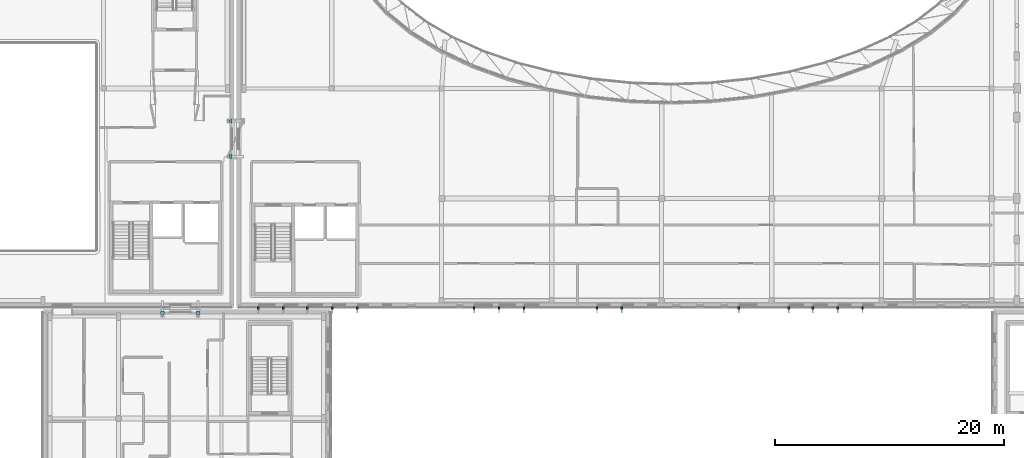
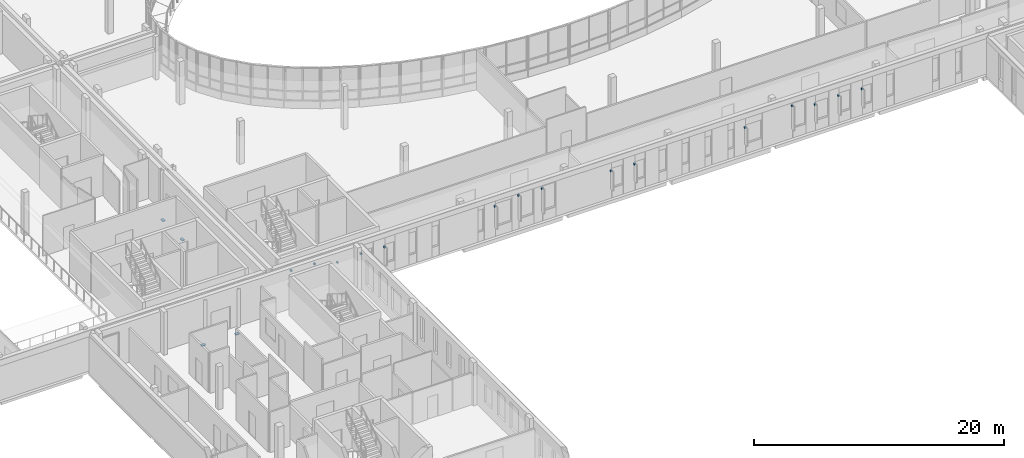
# One storey, part 57 of 84: 19 discrete accessories.
"""IFC4 building model written with IfcOpenShell, lengths in metres."""

import ifcopenshell
import ifcopenshell.guid

model = None  # the IFC model being written
_history = None  # IfcOwnerHistory: only IFC2X3 demands one
_inside = {}  # id of a spatial element -> (the spatial element, [elements in it])
_under = {}  # id of a project, library or spatial element -> (it, [spatial elements below it])
_declared = {}  # id of a project -> (the project, [libraries it declares])
_typed = {}  # id of a type object -> (the type object, [elements of that type])
_made_of = {}  # id of a material, layer set ... -> (it, [elements and type objects made of it])


def new_model(schema):
    """Start an empty IFC model of exactly this schema.

    Asked for "IFC4X3", IfcOpenShell would pick the latest addendum, in which some entities
    have other attributes; the version numbers below select the first issue.
    IFC2X3 requires an IfcOwnerHistory on every rooted entity: one is made here for all.
    """
    global model, _history
    if schema == "IFC4X3":
        model = ifcopenshell.file(schema_version=(4, 3, 0, 0))
    else:
        model = ifcopenshell.file(schema=schema)
    _inside.clear()
    _under.clear()
    _declared.clear()
    _typed.clear()
    _made_of.clear()
    _history = None
    if model.schema == "IFC2X3":
        org = make("IfcOrganization", Name="unknown")
        user = make(
            "IfcPersonAndOrganization",
            ThePerson=make("IfcPerson", FamilyName="unknown"),
            TheOrganization=org,
        )
        app = make(
            "IfcApplication",
            ApplicationDeveloper=org,
            Version="unknown",
            ApplicationFullName="unknown",
            ApplicationIdentifier="unknown",
        )
        _history = make(
            "IfcOwnerHistory",
            OwningUser=user,
            OwningApplication=app,
            ChangeAction="ADDED",
            CreationDate=0,
        )
    return model


def make(cls, **values):
    """One entity of the class cls with the attributes given. An attribute that is None is left unset."""
    return model.create_entity(
        cls, **{name: value for name, value in values.items() if value is not None}
    )


def rooted(cls, **values):
    """An entity with a GlobalId (a new one), such as an element, a storey or a relation."""
    return make(cls, GlobalId=ifcopenshell.guid.new(), OwnerHistory=_history, **values)


def si_unit(unit_type, name, prefix=None):
    """IfcSIUnit, for example si_unit("LENGTHUNIT", "METRE", prefix="MILLI")."""
    return make("IfcSIUnit", UnitType=unit_type, Prefix=prefix, Name=name)


def assignment(units):
    """IfcUnitAssignment: the units of a project."""
    return None if units is None else make("IfcUnitAssignment", Units=units)


def point(xyz):
    """IfcCartesianPoint."""
    return None if xyz is None else make("IfcCartesianPoint", Coordinates=xyz)


def direction(xyz):
    """IfcDirection."""
    return None if xyz is None else make("IfcDirection", DirectionRatios=xyz)


def frame(location, z_axis=None, x_axis=None):
    """IfcAxis2Placement3D, a coordinate frame: its origin and axes. An axis left out is left unset."""
    return make(
        "IfcAxis2Placement3D",
        Location=point(location),
        Axis=direction(z_axis),
        RefDirection=direction(x_axis),
    )


def frame_2d(location, x_axis=None):
    """IfcAxis2Placement2D, a coordinate frame in the plane: its origin and x axis."""
    return make(
        "IfcAxis2Placement2D", Location=point(location), RefDirection=direction(x_axis)
    )


def origin():
    """The frame at (0, 0, 0) with its axes left unset."""
    return frame((0.0, 0.0, 0.0))


def origin_2d():
    """The frame at (0, 0) in the plane with its x axis left unset."""
    return frame_2d((0.0, 0.0))


def place(relative_to, where):
    """IfcLocalPlacement: puts the frame where relative to a parent placement (None: the world)."""
    return make(
        "IfcLocalPlacement", PlacementRelTo=relative_to, RelativePlacement=where
    )


def context(
    kind, dimensions, precision=None, world=None, true_north=None, identifier=None
):
    """IfcGeometricRepresentationContext, for example the 3D "Model" context."""
    return make(
        "IfcGeometricRepresentationContext",
        ContextIdentifier=identifier,
        ContextType=kind,
        CoordinateSpaceDimension=dimensions,
        Precision=precision,
        WorldCoordinateSystem=world,
        TrueNorth=true_north,
    )


def subcontext(parent, identifier, kind, view, scale=None):
    """IfcGeometricRepresentationSubContext, for example "Body" below "Model"."""
    return make(
        "IfcGeometricRepresentationSubContext",
        ContextIdentifier=identifier,
        ContextType=kind,
        ParentContext=parent,
        TargetScale=scale,
        TargetView=view,
    )


def project(units=None, contexts=None):
    """IfcProject with its units and contexts."""
    return rooted(
        "IfcProject",
        Name="project",
        RepresentationContexts=contexts,
        UnitsInContext=assignment(units),
    )


def spatial(cls, under=None, at=None, **own):
    """A site, building, storey or space (cls), placed at a placement, below another one or the project."""
    s = rooted(cls, ObjectPlacement=at, **own)
    if under is not None:
        _under.setdefault(under.id(), (under, []))[1].append(s)
    return s


def profile(cls, at=None, kind="AREA", **sizes):
    """A parametric profile (cls). Its sizes go by their IFC names, for example OverallWidth=200.0."""
    return make(cls, ProfileType=kind, Position=at, **sizes)


def rectangle(**sizes):
    """IfcRectangleProfileDef."""
    return profile("IfcRectangleProfileDef", **sizes)


def extrude(swept, where, along, depth):
    """IfcExtrudedAreaSolid: the profile swept, set in the frame where, extruded along a direction by depth."""
    return make(
        "IfcExtrudedAreaSolid",
        SweptArea=swept,
        Position=where,
        ExtrudedDirection=direction(along),
        Depth=depth,
    )


def shape(context_of_items, identifier, shape_type, items):
    """IfcShapeRepresentation: the items that make up one representation, for example the "Body"."""
    return make(
        "IfcShapeRepresentation",
        ContextOfItems=context_of_items,
        RepresentationIdentifier=identifier,
        RepresentationType=shape_type,
        Items=items,
    )


def material(Name=None, Category=None):
    """IfcMaterial."""
    return make("IfcMaterial", Name=Name, Category=Category)


def made_of(thing, what):
    """Note that an element or type object is made of a material, layer set ...; save() writes the relation."""
    if what is not None:
        _made_of.setdefault(what.id(), (what, []))[1].append(thing)
    return thing


def type_object(cls, material=None, **own):
    """A type object (cls), such as IfcWallType, which elements share."""
    return made_of(rooted(cls, **own), material)


def element(
    cls,
    number,
    at=None,
    inside=None,
    cuts=None,
    type_object=None,
    material=None,
    context=None,
    identifier="Body",
    shape_type=None,
    held_by="IfcProductDefinitionShape",
    body=None,
    shapes=None,
    **own,
):
    """One element of the class cls, such as IfcWall. Its Tag is "e" and its number.

    at: its placement. inside: the storey or other place that contains it. cuts: it is an
    opening in that element (IfcRelVoidsElement). A single representation is given by context,
    identifier, shape_type and body (its items); several are given by shapes. held_by: the class
    of the entity that holds the representations. save() writes the other relations.
    """
    e = rooted(cls, Tag="e%d" % number, ObjectPlacement=at, **own)
    if body is not None:
        shapes = [shape(context, identifier, shape_type, body)]
    if shapes is not None:
        e.Representation = make(held_by, Representations=shapes)
    if inside is not None:
        _inside.setdefault(inside.id(), (inside, []))[1].append(e)
    if cuts is not None:
        rooted(
            "IfcRelVoidsElement", RelatingBuildingElement=cuts, RelatedOpeningElement=e
        )
    if type_object is not None:
        _typed.setdefault(type_object.id(), (type_object, []))[1].append(e)
    return made_of(e, material)


def aggregate(whole, parts):
    """IfcRelAggregates: a whole, such as a stair, and the parts it consists of."""
    return rooted("IfcRelAggregates", RelatingObject=whole, RelatedObjects=parts)


def save(model, path):
    """Write the relations noted so far, then the file.

    IfcRelAggregates (storeys below a building ...), IfcRelContainedInSpatialStructure (elements
    in a storey), IfcRelDefinesByType, IfcRelAssociatesMaterial and IfcRelDeclares: one each for
    every whole, place, type object, material and project.
    """
    for whole, parts in _under.values():
        aggregate(whole, parts)
    for where, things in _inside.values():
        rooted(
            "IfcRelContainedInSpatialStructure",
            RelatedElements=things,
            RelatingStructure=where,
        )
    for kind, things in _typed.values():
        rooted("IfcRelDefinesByType", RelatedObjects=things, RelatingType=kind)
    for what, things in _made_of.values():
        rooted("IfcRelAssociatesMaterial", RelatedObjects=things, RelatingMaterial=what)
    for by, libraries in _declared.values():
        rooted("IfcRelDeclares", RelatingContext=by, RelatedDefinitions=libraries)
    model.write(path)


model = new_model("IFC4")

# Units and contexts
model_context = context("Model", 3, precision=1e-05, world=origin(), true_north=direction((0.0, 1.0)))
body_context = subcontext(model_context, "Body", "Model", "MODEL_VIEW")
ifc_project = project(units=[si_unit("LENGTHUNIT", "METRE"), si_unit("AREAUNIT", "SQUARE_METRE"), si_unit("VOLUMEUNIT", "CUBIC_METRE"), si_unit("PLANEANGLEUNIT", "RADIAN"), si_unit("MASSUNIT", "GRAM", prefix="KILO")], contexts=[model_context])

# Site, building, storey
site_placement = place(None, origin())
site = spatial("IfcSite", under=ifc_project, at=site_placement, CompositionType="ELEMENT")
building_placement = place(site_placement, origin())
building = spatial("IfcBuilding", under=site, at=building_placement, Name="Mzevani Central Library", CompositionType="ELEMENT")
storey_placement = place(building_placement, frame((0.0, 0.0, 5.39990234375)))
storey = spatial("IfcBuildingStorey", under=building, at=storey_placement, Name="L01", CompositionType="ELEMENT", Elevation=5.39990234375)

# Discrete accessories
ifc_material_1 = material(Name="PTFE elastomer and Steel S355J2", Category="steel")
discrete_accessory_type_1 = type_object("IfcDiscreteAccessoryType", Name="PTFE Bidirectional Seismic Sliding Bearing", PredefinedType="USERDEFINED", material=ifc_material_1)
for number, where, z_axis, x_axis, name in (
    (1, (45.60009765625, 55.64990234375, -0.86474609375), (0.0, 0.0, 1.0), (1.0, 0.0, 0.0), "West Reading Seismic Passage L01 PTFE Sliding Bearing 1"),
    (2, (45.60009765625, 58.75, -0.86474609375), (0.0, 0.0, 1.0), (1.0, 0.0, 0.0), "West Reading Seismic Passage L01 PTFE Sliding Bearing 2"),
):
    element("IfcDiscreteAccessory", number, at=place(storey_placement, frame(where, z_axis=z_axis, x_axis=x_axis)), inside=storey, type_object=discrete_accessory_type_1, Name=name, ObjectType="PTFE SLIDING BEARING", PredefinedType="USERDEFINED", context=body_context, shape_type="SweptSolid", body=[
        extrude(rectangle(XDim=0.25, YDim=0.360107421875, at=origin_2d()), origin(), (0.0, 0.0, 1.0), 0.090087890625),
    ])
for number, where, z_axis, x_axis, name in (
    (3, (39.64990234375, 42.0, -0.81494140625), (0.0, 0.0, 1.0), (1.0, 0.0, 0.0), "Cultural-Auditorium Seismic Passage L01 PTFE Sliding Bearing 1"),
    (4, (42.75, 42.0, -0.81494140625), (0.0, 0.0, 1.0), (1.0, 0.0, 0.0), "Cultural-Auditorium Seismic Passage L01 PTFE Sliding Bearing 2"),
):
    element("IfcDiscreteAccessory", number, at=place(storey_placement, frame(where, z_axis=z_axis, x_axis=x_axis)), inside=storey, type_object=discrete_accessory_type_1, Name=name, ObjectType="PTFE SLIDING BEARING", PredefinedType="USERDEFINED", context=body_context, shape_type="SweptSolid", body=[
        extrude(rectangle(XDim=0.360107421875, YDim=0.25, at=origin_2d()), origin(), (0.0, 0.0, 1.0), 0.090087890625),
    ])
ifc_material_2 = material(Name="Steel S355J2", Category="steel")
discrete_accessory_type_2 = type_object("IfcDiscreteAccessoryType", Name="Stainless Facade Support Bracket", PredefinedType="BRACKET", material=ifc_material_2)
for number, where, z_axis, x_axis, name in (
    (5, (100.72998046875, 42.43994140625, 2.52001953125), (0.0, 0.0, 1.0), (-1.0, 0.0, 0.0), "L01 V1 Fin Support Bracket (56)"),
    (6, (98.554931640625, 42.43994140625, 2.6201171875), (0.0, 0.0, 1.0), (-1.0, 0.0, 0.0), "L01 V1 Fin Support Bracket (57)"),
    (7, (96.3798828125, 42.43994140625, 2.52001953125), (0.0, 0.0, 1.0), (-1.0, 0.0, 0.0), "L01 V1 Fin Support Bracket (58)"),
    (8, (94.280029296875, 42.43994140625, 3.1201171875), (0.0, 0.0, 1.0), (-1.0, 0.0, 0.0), "L01 V1 Fin Support Bracket (59)"),
    (9, (89.929931640625, 42.43994140625, 2.52001953125), (0.0, 0.0, 1.0), (-1.0, 0.0, 0.0), "L01 V1 Fin Support Bracket (60)"),
    (10, (79.72998046875, 42.43994140625, 2.52001953125), (0.0, 0.0, 1.0), (-1.0, 0.0, 0.0), "L01 V1 Fin Support Bracket (65)"),
    (11, (77.554931640625, 42.43994140625, 2.6201171875), (0.0, 0.0, 1.0), (-1.0, 0.0, 0.0), "L01 V1 Fin Support Bracket (66)"),
    (12, (71.179931640625, 42.43994140625, 3.1201171875), (0.0, 0.0, 1.0), (-1.0, 0.0, 0.0), "L01 V1 Fin Support Bracket (67)"),
    (13, (69.0048828125, 42.43994140625, 3.22021484375), (0.0, 0.0, 1.0), (-1.0, 0.0, 0.0), "L01 V1 Fin Support Bracket (68)"),
    (14, (66.830078125, 42.43994140625, 2.919921875), (0.0, 0.0, 1.0), (-1.0, 0.0, 0.0), "L01 V1 Fin Support Bracket (69)"),
    (15, (56.6298828125, 42.43994140625, 2.52001953125), (0.0, 0.0, 1.0), (-1.0, 0.0, 0.0), "L01 V1 Fin Support Bracket (73)"),
    (16, (54.455078125, 42.43994140625, 2.6201171875), (0.0, 0.0, 1.0), (-1.0, 0.0, 0.0), "L01 V1 Fin Support Bracket (74)"),
    (17, (52.280029296875, 42.43994140625, 2.52001953125), (0.0, 0.0, 1.0), (-1.0, 0.0, 0.0), "L01 V1 Fin Support Bracket (75)"),
    (18, (50.179931640625, 42.43994140625, 3.1201171875), (0.0, 0.0, 1.0), (-1.0, 0.0, 0.0), "L01 V1 Fin Support Bracket (76)"),
    (19, (48.0048828125, 42.43994140625, 3.22021484375), (0.0, 0.0, 1.0), (-1.0, 0.0, 0.0), "L01 V1 Fin Support Bracket (77)"),
):
    element("IfcDiscreteAccessory", number, at=place(storey_placement, frame(where, z_axis=z_axis, x_axis=x_axis)), inside=storey, type_object=discrete_accessory_type_2, Name=name, PredefinedType="BRACKET", context=body_context, shape_type="SweptSolid", body=[
        extrude(rectangle(XDim=0.159912109375, YDim=0.199951171875, at=origin_2d()), origin(), (0.0, 0.0, 1.0), 0.159912109375),
    ])

save(model, "model.ifc")
